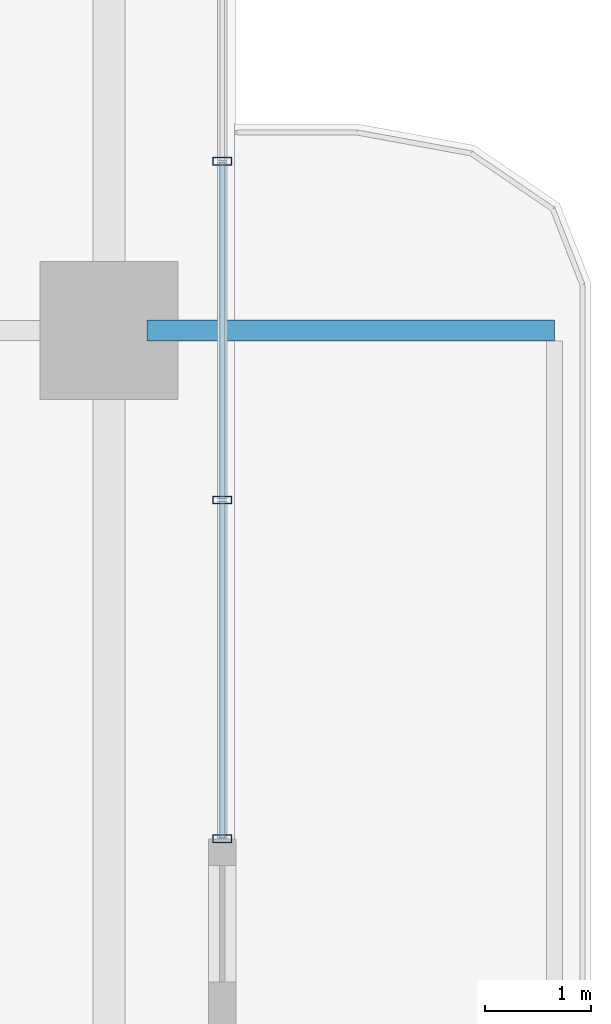
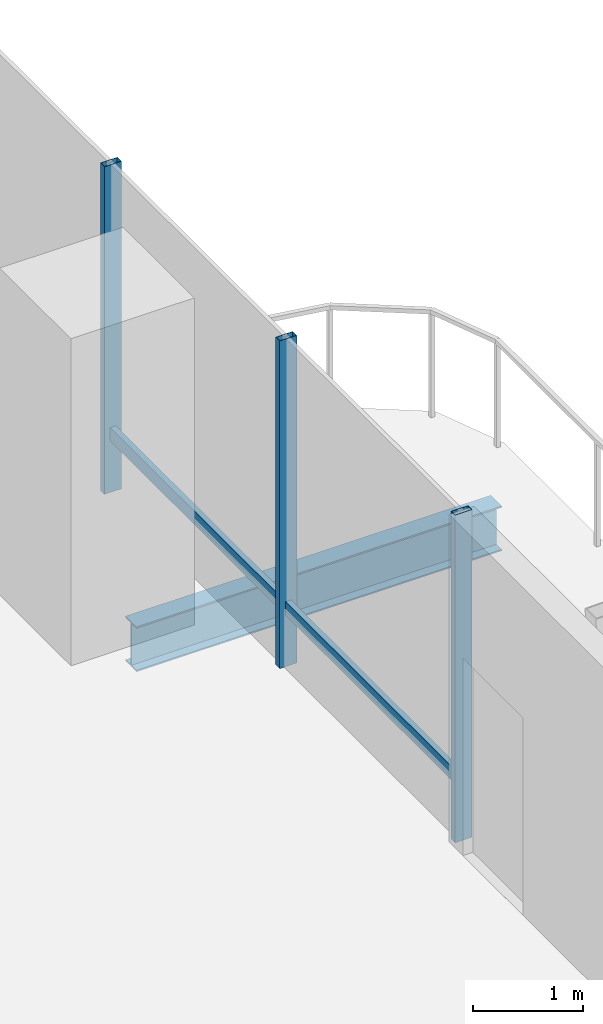
# One storey, part 8 of 23: 5 members, 1 beam, 1 element without a shape of its own.
"""IFC4 building model written with IfcOpenShell, lengths in metres."""

from ifc_helpers import new_model, si_unit, direction, frame, origin, origin_2d, place, context, subcontext, project, spatial, hollow_rectangle, i_section, extrude, material, layer, layer_set, material_profile, profile_set, type_object, element, aggregate, save


model = new_model("IFC4")

# Units and contexts
model_context = context("Model", 3, precision=1e-05, world=origin(), true_north=direction((0.0, 1.0)))
body_context = subcontext(model_context, "Body", "Model", "MODEL_VIEW")
ifc_project = project(units=[si_unit("LENGTHUNIT", "METRE"), si_unit("AREAUNIT", "SQUARE_METRE"), si_unit("VOLUMEUNIT", "CUBIC_METRE"), si_unit("PLANEANGLEUNIT", "RADIAN"), si_unit("MASSUNIT", "GRAM", prefix="KILO")], contexts=[model_context])

# Site, building, storey
site_placement = place(None, origin())
site = spatial("IfcSite", under=ifc_project, at=site_placement, CompositionType="ELEMENT")
building_placement = place(site_placement, origin())
building = spatial("IfcBuilding", under=site, at=building_placement, Name="Belovzor Exchange Tower", CompositionType="ELEMENT")
storey_placement = place(building_placement, frame((0.0, 0.0, 125.10009765625)))
storey = spatial("IfcBuildingStorey", under=building, at=storey_placement, Name="L30", CompositionType="ELEMENT", Elevation=125.10009765625)

# Beam
ifc_material_1 = material(Name="Steel S355", Category="steel")
ifc_material_profile_1 = material_profile(ifc_material_1, i_section(OverallWidth=0.199951171875, OverallDepth=0.5, WebThickness=0.01025390625, FlangeThickness=0.01611328125, at=origin_2d()))
ifc_profile_set_1 = profile_set([ifc_material_profile_1], Name="Steel S355")
beam_type = type_object("IfcBeamType", Name="Planted Balcony Cantilever Beam IPE 500", PredefinedType="BEAM", material=ifc_profile_set_1)
beam_placement = place(storey_placement, frame((54.05810546875, 28.800048828125, -0.5), z_axis=(1.0, 0.0, 0.0), x_axis=(0.0, 1.0, 0.0)))
element("IfcBeam", 1, at=beam_placement, inside=storey, type_object=beam_type, Name="BC-500 Planted Balcony Cantilever Beam IPE 500", PredefinedType="BEAM", context=body_context, shape_type="SweptSolid", body=[
    extrude(i_section(OverallWidth=0.199951171875, OverallDepth=0.5, WebThickness=0.01025390625, FlangeThickness=0.01611328125, at=origin_2d()), origin(), (0.0, 0.0, 1.0), 3.849853515625),
])

# Curtain wall, members
ifc_material_2 = material(Name="Anodised Aluminium Framing", Category="aluminium")
ifc_layer = layer(ifc_material_2, 0.179931640625)
ifc_layer_set = layer_set([ifc_layer], Name="Anodised Aluminium Framing")
curtain_wall_type = type_object("IfcCurtainWallType", Name="Recessed Loggia Low-Iron Triple-Glazed Curtain Wall", PredefinedType="NOTDEFINED", material=ifc_layer_set)
curtain_wall_placement = place(storey_placement, origin())
curtain_wall = element("IfcCurtainWall", 2, at=curtain_wall_placement, inside=storey, type_object=curtain_wall_type, Name="CW3 Recessed Loggia Low-Iron Triple-Glazed Curtain Wall L30", PredefinedType="NOTDEFINED")
ifc_material_3 = material(Name="Steel S355", Category="steel")
ifc_material_profile_2 = material_profile(ifc_material_3, hollow_rectangle(XDim=0.074951171875, YDim=0.179931640625, WallThickness=0.0048828125, at=origin_2d()))
ifc_profile_set_2 = profile_set([ifc_material_profile_2], Name="Steel S355")
member_type_1 = type_object("IfcMemberType", Name="Thermally Broken Curtain Wall Mullion 180x75", PredefinedType="MULLION", material=ifc_profile_set_2)
member_1_placement = place(storey_placement, frame((54.77001953125, 30.39990234375, 0.0), z_axis=(0.0, 0.0, 1.0), x_axis=(0.0, -1.0, 0.0)))
member_1 = element("IfcMember", 3, at=member_1_placement, type_object=member_type_1, Name="CW-M180 Curtain Wall Mullion 2", PredefinedType="MULLION", context=body_context, shape_type="SweptSolid", body=[
    extrude(hollow_rectangle(XDim=0.074951171875, YDim=0.179931640625, WallThickness=0.0048828125, at=origin_2d()), origin(), (0.0, 0.0, 1.0), 3.64990234375),
])
member_2_placement = place(storey_placement, frame((54.77001953125, 27.199951171875, 0.0), z_axis=(0.0, 0.0, 1.0), x_axis=(0.0, -1.0, 0.0)))
member_2 = element("IfcMember", 4, at=member_2_placement, type_object=member_type_1, Name="CW-M180 Curtain Wall Mullion 3", PredefinedType="MULLION", context=body_context, shape_type="SweptSolid", body=[
    extrude(hollow_rectangle(XDim=0.074951171875, YDim=0.179931640625, WallThickness=0.0048828125, at=origin_2d()), origin(), (0.0, 0.0, 1.0), 3.64990234375),
])
member_3_placement = place(storey_placement, frame((54.77001953125, 24.0, 0.0), z_axis=(0.0, 0.0, 1.0), x_axis=(0.0, -1.0, 0.0)))
member_3 = element("IfcMember", 5, at=member_3_placement, type_object=member_type_1, Name="CW-M180 Curtain Wall Mullion 4", PredefinedType="MULLION", context=body_context, shape_type="SweptSolid", body=[
    extrude(hollow_rectangle(XDim=0.074951171875, YDim=0.179931640625, WallThickness=0.0048828125, at=origin_2d()), origin(), (0.0, 0.0, 1.0), 3.64990234375),
])
ifc_material_4 = material(Name="Steel S355", Category="steel")
ifc_material_profile_3 = material_profile(ifc_material_4, hollow_rectangle(XDim=0.06005859375, YDim=0.14990234375, WallThickness=0.00390625, at=origin_2d()))
ifc_profile_set_3 = profile_set([ifc_material_profile_3], Name="Steel S355")
member_type_2 = type_object("IfcMemberType", Name="Thermally Broken Curtain Wall Transom 150x60", PredefinedType="USERDEFINED", material=ifc_profile_set_3)
member_4_placement = place(storey_placement, frame((54.77001953125, 30.39208984375, 0.64990234375), z_axis=(0.0, -1.0, 0.0), x_axis=(1.0, 0.0, 0.0)))
member_4 = element("IfcMember", 6, at=member_4_placement, type_object=member_type_2, Name="CW-T150 Curtain Wall Transom 2", ObjectType="TRANSOM", PredefinedType="USERDEFINED", context=body_context, shape_type="SweptSolid", body=[
    extrude(hollow_rectangle(XDim=0.06005859375, YDim=0.14990234375, WallThickness=0.00390625, at=origin_2d()), origin(), (0.0, 0.0, 1.0), 3.18408203125),
])
member_5_placement = place(storey_placement, frame((54.77001953125, 27.19189453125, 0.64990234375), z_axis=(0.0, -1.0, 0.0), x_axis=(1.0, 0.0, 0.0)))
member_5 = element("IfcMember", 7, at=member_5_placement, type_object=member_type_2, Name="CW-T150 Curtain Wall Transom 3", ObjectType="TRANSOM", PredefinedType="USERDEFINED", context=body_context, shape_type="SweptSolid", body=[
    extrude(hollow_rectangle(XDim=0.06005859375, YDim=0.14990234375, WallThickness=0.00390625, at=origin_2d()), origin(), (0.0, 0.0, 1.0), 3.183837890625),
])
aggregate(curtain_wall, [member_1, member_2, member_3, member_4, member_5])

save(model, "model.ifc")
